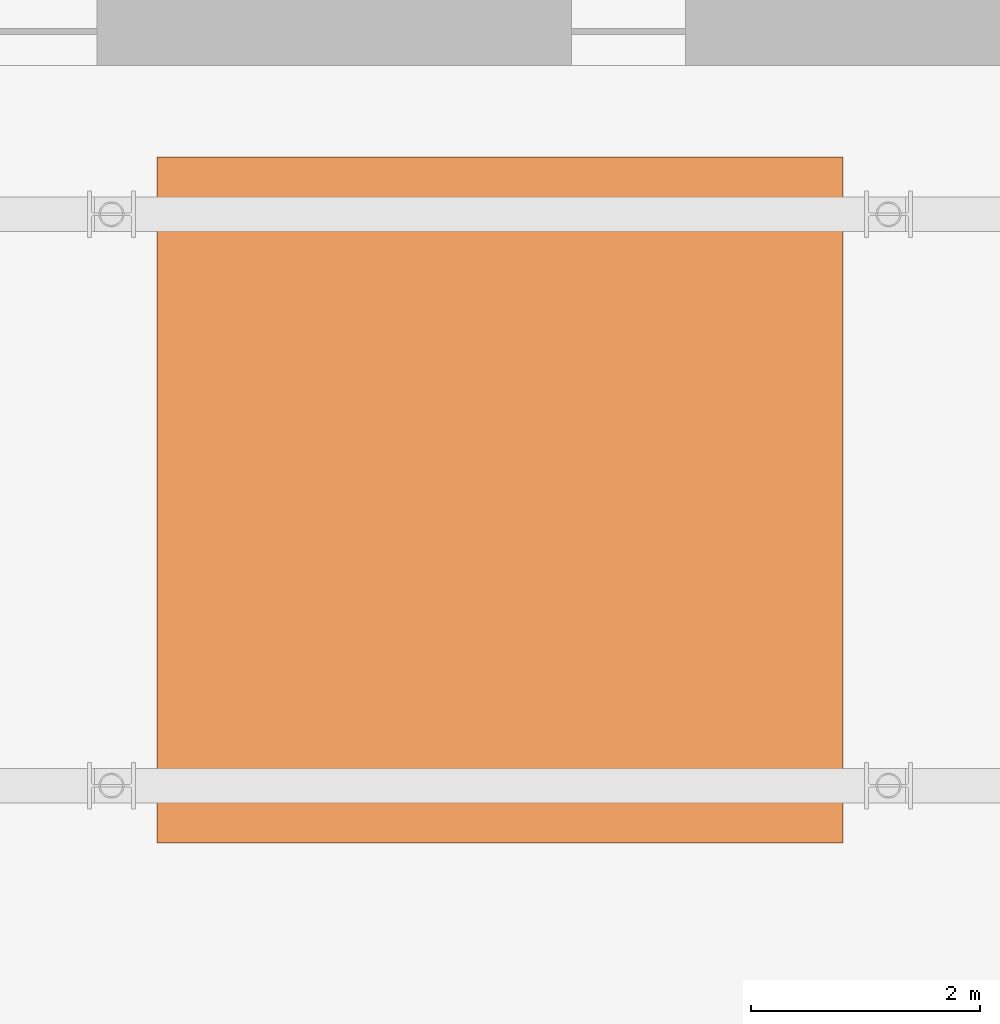
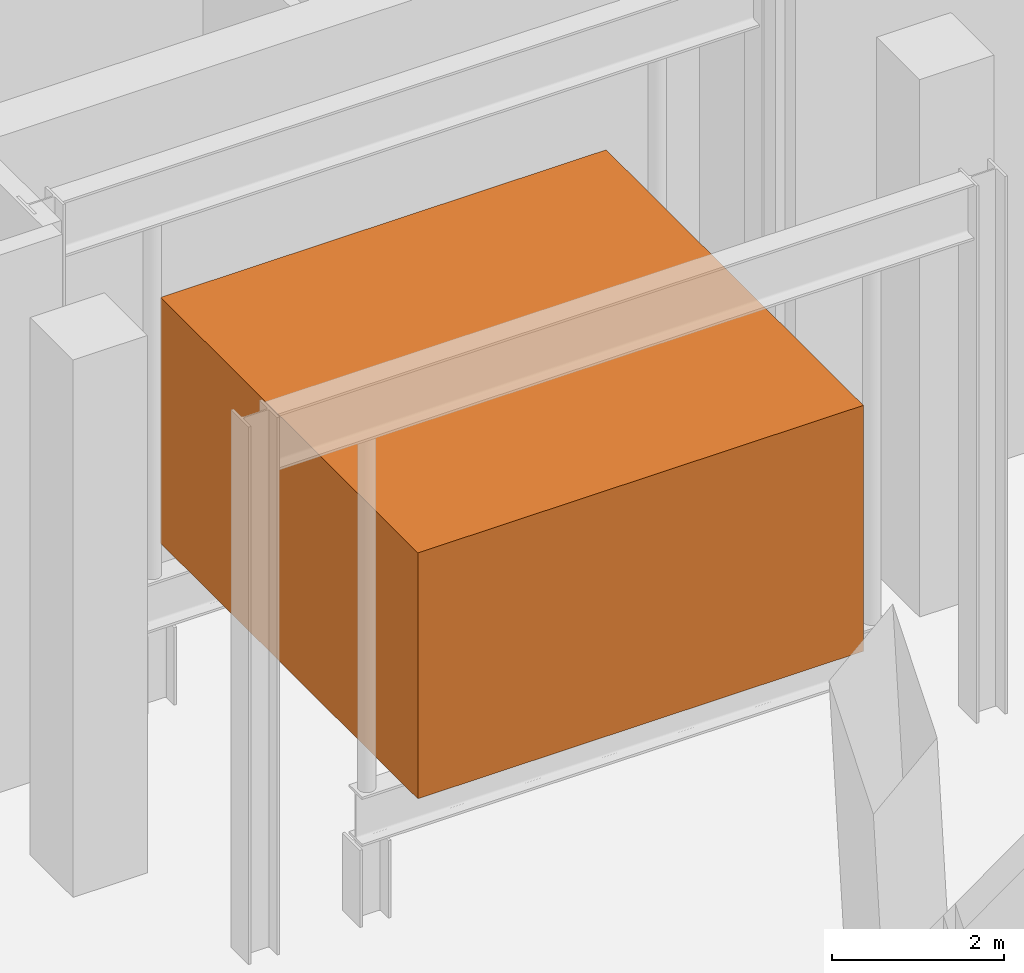
# One storey, part 13 of 13: 1 proxy.
"""IFC4 building model written with IfcOpenShell, lengths in metres."""

from ifc_helpers import new_model, si_unit, direction, frame, origin, origin_2d, place, context, subcontext, project, spatial, rectangle, extrude, material, type_object, element, save


model = new_model("IFC4")

# Units and contexts
model_context = context("Model", 3, precision=1e-05, world=origin(), true_north=direction((0.0, 1.0)))
body_context = subcontext(model_context, "Body", "Model", "MODEL_VIEW")
ifc_project = project(units=[si_unit("LENGTHUNIT", "METRE"), si_unit("AREAUNIT", "SQUARE_METRE"), si_unit("VOLUMEUNIT", "CUBIC_METRE"), si_unit("PLANEANGLEUNIT", "RADIAN"), si_unit("MASSUNIT", "GRAM", prefix="KILO")], contexts=[model_context])

# Site, building, storey
site_placement = place(None, origin())
site = spatial("IfcSite", under=ifc_project, at=site_placement, CompositionType="ELEMENT")
building_placement = place(site_placement, origin())
building = spatial("IfcBuilding", under=site, at=building_placement, Name="Mopane Tessera Tower", CompositionType="ELEMENT")
storey_placement = place(building_placement, frame((0.0, 0.0, 337.39990234375)))
storey = spatial("IfcBuildingStorey", under=building, at=storey_placement, Name="L74", CompositionType="ELEMENT", Elevation=337.39990234375)

# Proxy
ifc_material = material(Name="Steel plate and lead-filled mass", Category="steel")
building_element_proxy_type = type_object("IfcBuildingElementProxyType", Name="Tuned mass damper", PredefinedType="USERDEFINED", material=ifc_material)
proxy_placement = place(storey_placement, frame((0.0, -11.0, 1.800048828125), z_axis=(0.0, 0.0, 1.0), x_axis=(1.0, 0.0, 0.0)))
element("IfcBuildingElementProxy", 1, at=proxy_placement, inside=storey, type_object=building_element_proxy_type, Name="Tuned mass damper", ObjectType="Tuned mass damper", PredefinedType="USERDEFINED", context=body_context, shape_type="SweptSolid", body=[
    extrude(rectangle(XDim=6.0, YDim=6.0, at=origin_2d()), origin(), (0.0, 0.0, 1.0), 3.5),
])

save(model, "model.ifc")
